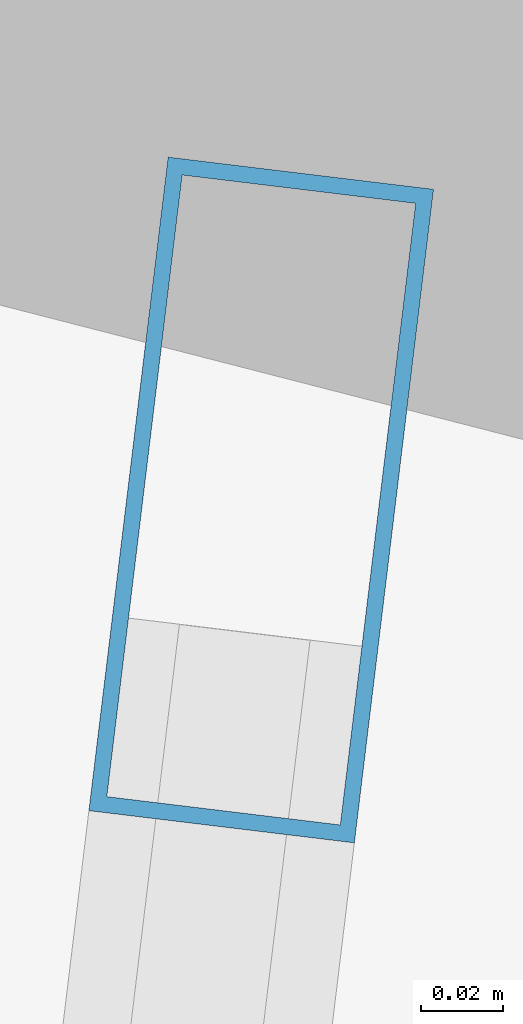
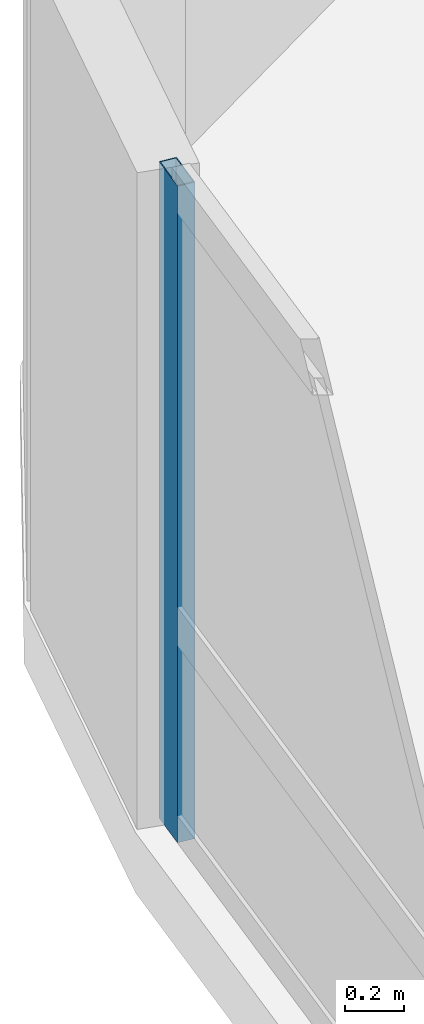
# One storey, part 12 of 25: 1 member, 1 element without a shape of its own.
"""IFC4 building model written with IfcOpenShell, lengths in metres."""

from ifc_helpers import new_model, si_unit, direction, frame, origin, origin_2d, place, context, subcontext, project, spatial, hollow_rectangle, extrude, material, layer, layer_set, material_profile, profile_set, type_object, element, aggregate, save


model = new_model("IFC4")

# Units and contexts
model_context = context("Model", 3, precision=1e-05, world=origin(), true_north=direction((0.0, 1.0)))
body_context = subcontext(model_context, "Body", "Model", "MODEL_VIEW")
ifc_project = project(units=[si_unit("LENGTHUNIT", "METRE"), si_unit("AREAUNIT", "SQUARE_METRE"), si_unit("VOLUMEUNIT", "CUBIC_METRE"), si_unit("PLANEANGLEUNIT", "RADIAN"), si_unit("MASSUNIT", "GRAM", prefix="KILO")], contexts=[model_context])

# Site, building, storey
site_placement = place(None, origin())
site = spatial("IfcSite", under=ifc_project, at=site_placement, CompositionType="ELEMENT")
building_placement = place(site_placement, origin())
building = spatial("IfcBuilding", under=site, at=building_placement, Name="Varnelok Gate Tower", CompositionType="ELEMENT")
storey_placement = place(building_placement, frame((0.0, 0.0, 132.800048828125)))
storey = spatial("IfcBuildingStorey", under=building, at=storey_placement, Name="L33", CompositionType="ELEMENT", Elevation=132.800048828125)

# Curtain wall, member
ifc_material = material(Name="Anodized Aluminum Alloy 6063-T6", Category="aluminium")
ifc_layer = layer(ifc_material, 0.179931640625)
ifc_layer_set = layer_set([ifc_layer], Name="Anodized Aluminum Alloy 6063-T6")
curtain_wall_type = type_object("IfcCurtainWallType", Name="CW3-HOTEL-VISION", PredefinedType="USERDEFINED", material=ifc_layer_set)
curtain_wall_placement = place(storey_placement, origin())
curtain_wall = element("IfcCurtainWall", 1, at=curtain_wall_placement, inside=storey, type_object=curtain_wall_type, Name="L33 West End Vision Curtain Wall", ObjectType="UNITISED CURTAIN WALL", PredefinedType="USERDEFINED")
ifc_material_profile = material_profile(ifc_material, hollow_rectangle(XDim=0.06494140625, YDim=0.159912109375, WallThickness=0.00390625, at=origin_2d()), Name="ALU160X65X4")
ifc_profile_set = profile_set([ifc_material_profile], Name="Anodized Aluminum Alloy 6063-T6")
member_type = type_object("IfcMemberType", Name="CW-MULL-160", PredefinedType="MULLION", material=ifc_profile_set)
member_placement = place(storey_placement, frame((4.57177734375, 47.596923828125, 0.0), z_axis=(0.0, 0.0, 1.0), x_axis=(-0.99273188146, 0.120347046212, 0.0)))
member = element("IfcMember", 2, at=member_placement, type_object=member_type, Name="CW3 mullion 6", PredefinedType="MULLION", context=body_context, shape_type="SweptSolid", body=[
    extrude(hollow_rectangle(XDim=0.06494140625, YDim=0.159912109375, WallThickness=0.00390625, at=origin_2d()), origin(), (0.0, 0.0, 1.0), 2.72998046875),
])
aggregate(curtain_wall, [member])

save(model, "model.ifc")
